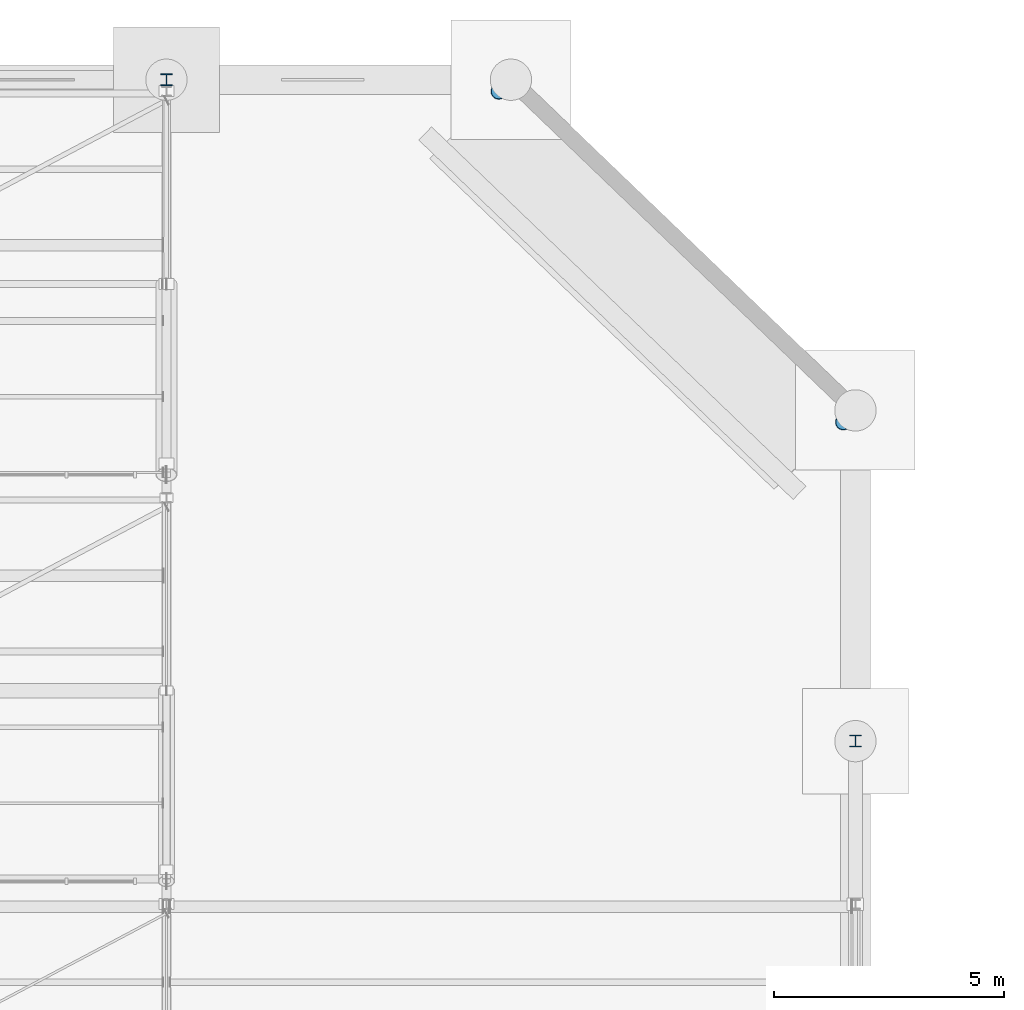
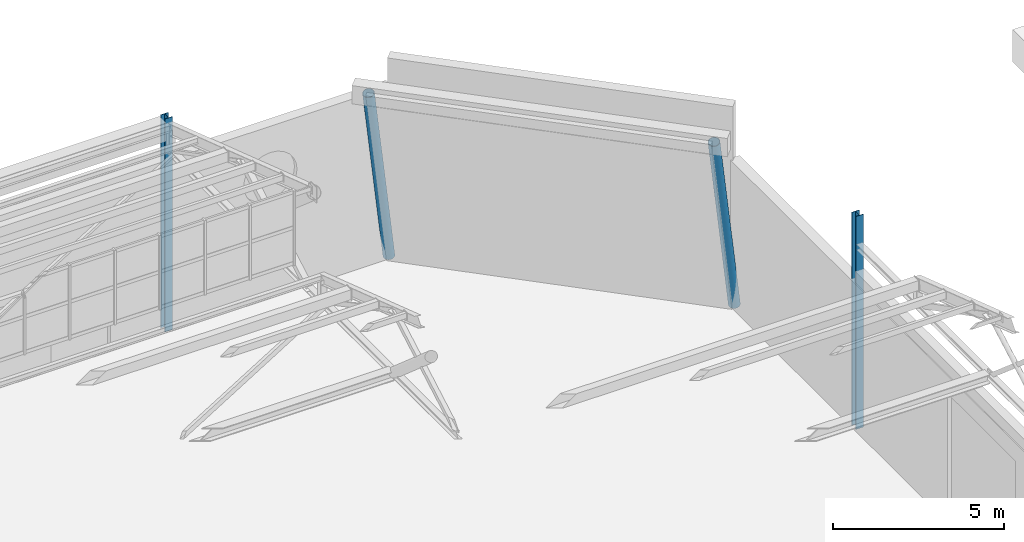
# One storey, part 37 of 285: 4 columns.
"""IFC4 building model written with IfcOpenShell, lengths in metres."""

from ifc_helpers import new_model, si_unit, direction, frame, origin, origin_2d, place, context, subcontext, project, spatial, hollow_circle, i_section, extrude, material, material_profile, profile_set, type_object, element, save


model = new_model("IFC4")

# Units and contexts
model_context = context("Model", 3, precision=1e-05, world=origin(), true_north=direction((0.0, 1.0)))
body_context = subcontext(model_context, "Body", "Model", "MODEL_VIEW")
ifc_project = project(units=[si_unit("LENGTHUNIT", "METRE"), si_unit("AREAUNIT", "SQUARE_METRE"), si_unit("VOLUMEUNIT", "CUBIC_METRE"), si_unit("PLANEANGLEUNIT", "RADIAN"), si_unit("MASSUNIT", "GRAM", prefix="KILO")], contexts=[model_context])

# Site, building, storey
site_placement = place(None, origin())
site = spatial("IfcSite", under=ifc_project, at=site_placement, CompositionType="ELEMENT")
building_placement = place(site_placement, origin())
building = spatial("IfcBuilding", under=site, at=building_placement, Name="Solanera Park Tramway Depot", CompositionType="ELEMENT")
storey_placement = place(building_placement, origin())
storey = spatial("IfcBuildingStorey", under=building, at=storey_placement, Name="L00", CompositionType="ELEMENT", Elevation=0.0)

# Columns
ifc_material_1 = material(Name="Steel AS/NZS 3679.1 Grade 350", Category="steel")
ifc_material_profile_1 = material_profile(ifc_material_1, i_section(OverallWidth=0.25390625, OverallDepth=0.25390625, WebThickness=0.008544921875, FlangeThickness=0.01416015625, at=origin_2d()), Name="250UC72.9")
ifc_profile_set_1 = profile_set([ifc_material_profile_1], Name="Steel AS/NZS 3679.1 Grade 350")
column_type_1 = type_object("IfcColumnType", Name="Steel Column Ext 250UC72.9", PredefinedType="COLUMN", material=ifc_profile_set_1)
column_1_placement = place(storey_placement, frame((150.0, 129.60009765625, 0.0), z_axis=(0.0, 0.0, 1.0), x_axis=(1.0, 0.0, 0.0)))
element("IfcColumn", 1, at=column_1_placement, inside=storey, type_object=column_type_1, Name="L00 Column V1S-X1500-Y1296", PredefinedType="COLUMN", context=body_context, shape_type="SweptSolid", body=[
    extrude(i_section(OverallWidth=0.25390625, OverallDepth=0.25390625, WebThickness=0.008544921875, FlangeThickness=0.01416015625, at=origin_2d()), origin(), (0.0, 0.0, 1.0), 7.60009765625),
])
ifc_material_2 = material(Name="Steel AS/NZS 3679.1 Grade 350", Category="steel")
ifc_material_profile_2 = material_profile(ifc_material_2, i_section(OverallWidth=0.255615234375, OverallDepth=0.260009765625, WebThickness=0.010498046875, FlangeThickness=0.017333984375, at=origin_2d()), Name="250UC89.5")
ifc_profile_set_2 = profile_set([ifc_material_profile_2], Name="Steel AS/NZS 3679.1 Grade 350")
column_type_2 = type_object("IfcColumnType", Name="Steel Column Ext 250UC89.5", PredefinedType="COLUMN", material=ifc_profile_set_2)
column_2_placement = place(storey_placement, frame((135.0, 144.0, 0.0), z_axis=(0.0, 0.0, 1.0), x_axis=(1.0, 0.0, 0.0)))
element("IfcColumn", 2, at=column_2_placement, inside=storey, type_object=column_type_2, Name="L00 Column V1-X1350-Y1440", PredefinedType="COLUMN", context=body_context, shape_type="SweptSolid", body=[
    extrude(i_section(OverallWidth=0.255615234375, OverallDepth=0.260009765625, WebThickness=0.010498046875, FlangeThickness=0.017333984375, at=origin_2d()), origin(), (0.0, 0.0, 1.0), 7.60009765625),
])
ifc_material_3 = material(Name="Steel AS/NZS 1163 Grade C350L0", Category="steel")
ifc_material_profile_3 = material_profile(ifc_material_3, hollow_circle(Radius=0.177734375, WallThickness=0.0126953125, at=origin_2d()), Name="355.6x12.7 CHS")
ifc_profile_set_3 = profile_set([ifc_material_profile_3], Name="Steel AS/NZS 1163 Grade C350L0")
column_type_3 = type_object("IfcColumnType", Name="Steel Column Ext 355.6x12.7 CHS", PredefinedType="COLUMN", material=ifc_profile_set_3)
for number, where, z_axis, x_axis, name in (
    (3, (150.0, 136.800048828125, 0.0), (-0.204776827534, -0.196833457878, 0.958813350327), (0.692985522291, -0.720951500377, 0.0), "V1 Carved Corner Raked Column NE-1"),
    (4, (142.5, 144.0, 0.0), (-0.204776827534, -0.196833457878, 0.958813350327), (0.692985522291, -0.720951500377, 0.0), "V1 Carved Corner Raked Column NE-2"),
):
    element("IfcColumn", number, at=place(storey_placement, frame(where, z_axis=z_axis, x_axis=x_axis)), inside=storey, type_object=column_type_3, Name=name, PredefinedType="COLUMN", context=body_context, shape_type="SweptSolid", body=[
        extrude(hollow_circle(Radius=0.177734375, WallThickness=0.0126953125, at=origin_2d()), origin(), (0.0, 0.0, 1.0), 7.530029296875),
    ])

save(model, "model.ifc")
